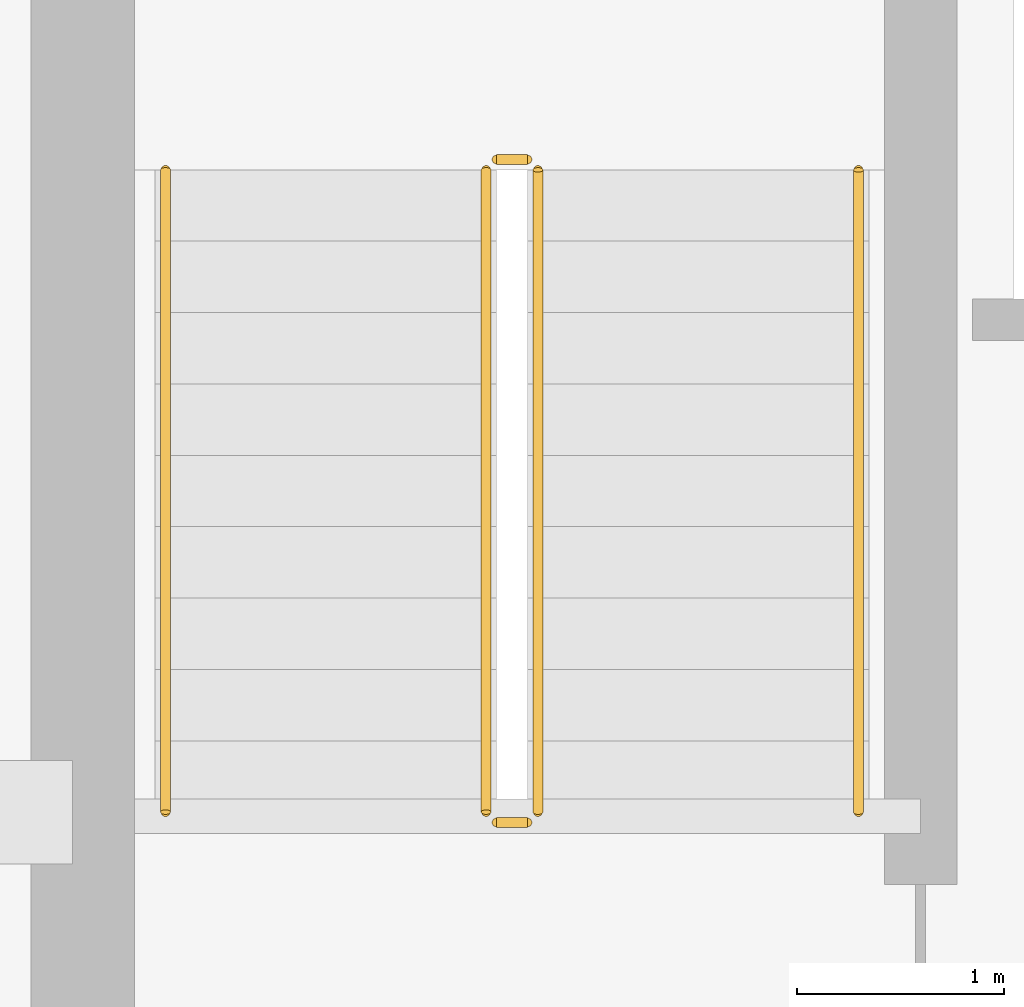
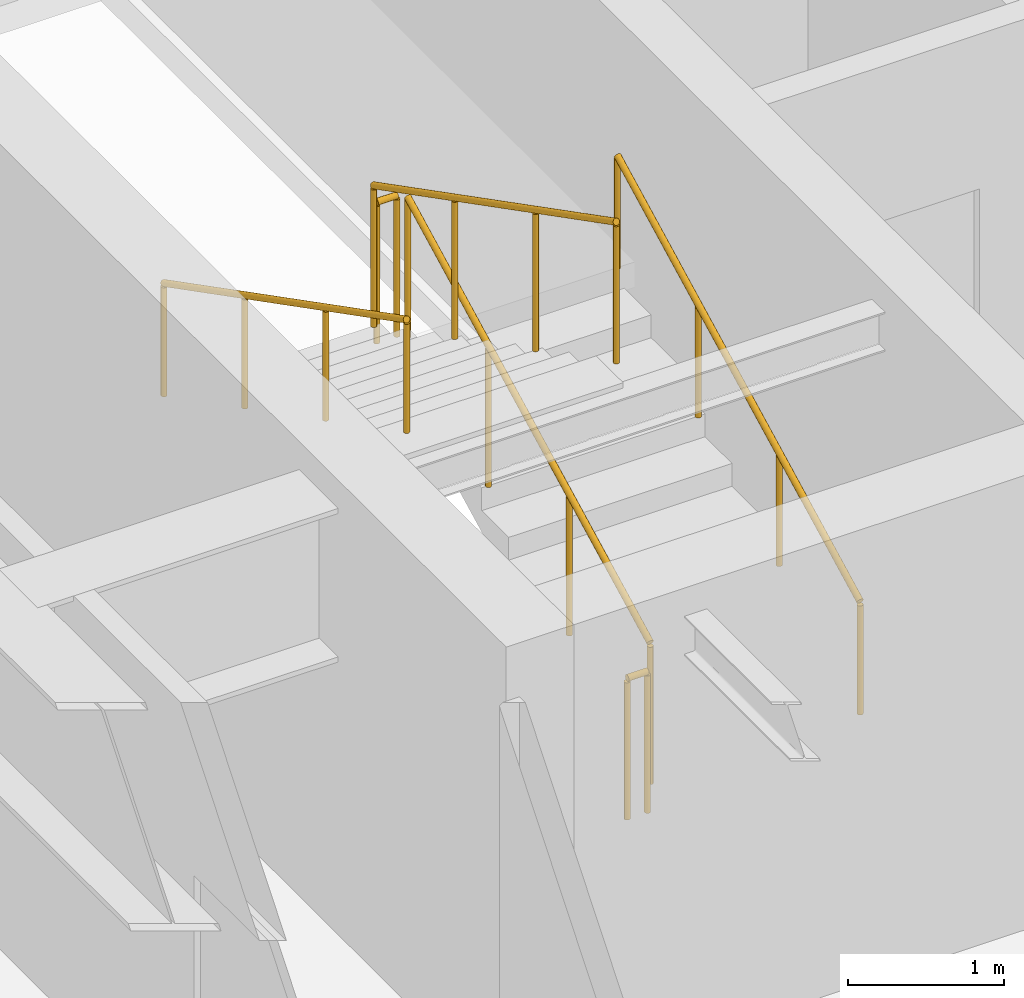
# One storey, part 12 of 15: 6 railings.
"""IFC4 building model written with IfcOpenShell, lengths in metres."""

from ifc_helpers import new_model, si_unit, direction, frame, origin, origin_2d, place, context, subcontext, project, spatial, circle, extrude, material, type_object, element, save


model = new_model("IFC4")

# Units and contexts
model_context = context("Model", 3, precision=1e-05, world=origin(), true_north=direction((0.0, 1.0)))
body_context = subcontext(model_context, "Body", "Model", "MODEL_VIEW")
ifc_project = project(units=[si_unit("LENGTHUNIT", "METRE"), si_unit("AREAUNIT", "SQUARE_METRE"), si_unit("VOLUMEUNIT", "CUBIC_METRE"), si_unit("PLANEANGLEUNIT", "RADIAN"), si_unit("MASSUNIT", "GRAM", prefix="KILO")], contexts=[model_context])

# Site, building, storey
site_placement = place(None, origin())
site = spatial("IfcSite", under=ifc_project, at=site_placement, CompositionType="ELEMENT")
building_placement = place(site_placement, origin())
building = spatial("IfcBuilding", under=site, at=building_placement, Name="Tolvann Quenvar Hotel", CompositionType="ELEMENT")
storey_placement = place(building_placement, frame((0.0, 0.0, 278.60009765625)))
storey = spatial("IfcBuildingStorey", under=building, at=storey_placement, Name="L74", CompositionType="ELEMENT", Elevation=278.60009765625)

# Railings
ifc_material = material(Name="Brushed 316 stainless steel balustrade and handrail", Category="steel")
railing_type_1 = type_object("IfcRailingType", Name="GUARDRAIL", PredefinedType="GUARDRAIL", material=ifc_material)
railing_1_placement = place(storey_placement, frame((12.449951171875, 34.0, 0.177490234375)))
element("IfcRailing", 1, at=railing_1_placement, inside=storey, type_object=railing_type_1, Name="L74 ST-C1 stair guard 1", PredefinedType="GUARDRAIL", context=body_context, shape_type="SweptSolid", body=[
    extrude(circle(Radius=0.02392578125, at=origin_2d()), frame((0.0, 0.0, 1.09619140625), z_axis=(0.0, 0.889221982265, 0.45747597342), x_axis=(-1.0, 0.0, 0.0)), (0.0, 0.0, 1.0), 3.49169921875),
    extrude(circle(Radius=0.02099609375, at=origin_2d()), origin(), (0.0, 0.0, 1.0), 1.072021484375),
    extrude(circle(Radius=0.02099609375, at=origin_2d()), frame((0.0, 1.034912109375, 0.532470703125)), (0.0, 0.0, 1.0), 1.072021484375),
    extrude(circle(Radius=0.02099609375, at=origin_2d()), frame((0.0, 2.070068359375, 1.06494140625)), (0.0, 0.0, 1.0), 1.072021484375),
    extrude(circle(Radius=0.02099609375, at=origin_2d()), frame((0.0, 3.10498046875, 1.597412109375)), (0.0, 0.0, 1.0), 1.072021484375),
])
railing_2_placement = place(storey_placement, frame((12.39990234375, 37.155029296875, 1.77490234375)))
element("IfcRailing", 2, at=railing_2_placement, inside=storey, type_object=railing_type_1, Name="L74 ST-C1 stair guard 2", PredefinedType="GUARDRAIL", context=body_context, shape_type="SweptSolid", body=[
    extrude(circle(Radius=0.02392578125, at=origin_2d()), frame((0.0, 0.0, 1.09619140625), z_axis=(-1.0, 0.0, 0.0), x_axis=(0.0, -1.0, 0.0)), (0.0, 0.0, 1.0), 0.14990234375),
    extrude(circle(Radius=0.02099609375, at=origin_2d()), origin(), (0.0, 0.0, 1.0), 1.072021484375),
    extrude(circle(Radius=0.02099609375, at=origin_2d()), frame((-0.14990234375, 0.0, 0.0)), (0.0, 0.0, 1.0), 1.072021484375),
])
railing_3_placement = place(storey_placement, frame((12.199951171875, 37.10498046875, 1.952392578125)))
element("IfcRailing", 3, at=railing_3_placement, inside=storey, type_object=railing_type_1, Name="L74 ST-C1 stair guard 3", PredefinedType="GUARDRAIL", context=body_context, shape_type="SweptSolid", body=[
    extrude(circle(Radius=0.02392578125, at=origin_2d()), frame((0.0, 0.0, 1.09619140625), z_axis=(0.0, -0.889221982265, 0.45747597342), x_axis=(1.0, 0.0, 0.0)), (0.0, 0.0, 1.0), 3.49169921875),
    extrude(circle(Radius=0.02099609375, at=origin_2d()), origin(), (0.0, 0.0, 1.0), 1.072021484375),
    extrude(circle(Radius=0.02099609375, at=origin_2d()), frame((0.0, -1.034912109375, 0.532470703125)), (0.0, 0.0, 1.0), 1.072021484375),
    extrude(circle(Radius=0.02099609375, at=origin_2d()), frame((0.0, -2.070068359375, 1.06494140625)), (0.0, 0.0, 1.0), 1.072021484375),
    extrude(circle(Radius=0.02099609375, at=origin_2d()), frame((0.0, -3.10498046875, 1.597412109375)), (0.0, 0.0, 1.0), 1.072021484375),
])
railing_4_placement = place(storey_placement, frame((12.39990234375, 33.949951171875, 0.0)))
element("IfcRailing", 4, at=railing_4_placement, inside=storey, type_object=railing_type_1, Name="L74 ST-C1 stair guard 4", PredefinedType="GUARDRAIL", context=body_context, shape_type="SweptSolid", body=[
    extrude(circle(Radius=0.02392578125, at=origin_2d()), frame((0.0, 0.0, 1.09619140625), z_axis=(-1.0, 0.0, 0.0), x_axis=(0.0, -1.0, 0.0)), (0.0, 0.0, 1.0), 0.14990234375),
    extrude(circle(Radius=0.02099609375, at=origin_2d()), origin(), (0.0, 0.0, 1.0), 1.072021484375),
    extrude(circle(Radius=0.02099609375, at=origin_2d()), frame((-0.14990234375, 0.0, 0.0)), (0.0, 0.0, 1.0), 1.072021484375),
])
railing_type_2 = type_object("IfcRailingType", Name="HANDRAIL", PredefinedType="HANDRAIL", material=ifc_material)
railing_5_placement = place(storey_placement, frame((14.0, 34.0, 0.177490234375)))
element("IfcRailing", 5, at=railing_5_placement, inside=storey, type_object=railing_type_2, Name="L74 ST-C1 stair handrail 1", PredefinedType="HANDRAIL", context=body_context, shape_type="SweptSolid", body=[
    extrude(circle(Radius=0.02392578125, at=origin_2d()), frame((0.0, 0.0, 0.8759765625), z_axis=(0.0, 0.889221982265, 0.45747597342), x_axis=(-1.0, 0.0, 0.0)), (0.0, 0.0, 1.0), 3.49169921875),
    extrude(circle(Radius=0.02099609375, at=origin_2d()), origin(), (0.0, 0.0, 1.0), 0.851806640625),
    extrude(circle(Radius=0.02099609375, at=origin_2d()), frame((0.0, 1.034912109375, 0.532470703125)), (0.0, 0.0, 1.0), 0.851806640625),
    extrude(circle(Radius=0.02099609375, at=origin_2d()), frame((0.0, 2.070068359375, 1.06494140625)), (0.0, 0.0, 1.0), 0.851806640625),
    extrude(circle(Radius=0.02099609375, at=origin_2d()), frame((0.0, 3.10498046875, 1.597412109375)), (0.0, 0.0, 1.0), 0.851806640625),
])
railing_6_placement = place(storey_placement, frame((10.64990234375, 37.10498046875, 1.952392578125)))
element("IfcRailing", 6, at=railing_6_placement, inside=storey, type_object=railing_type_2, Name="L74 ST-C1 stair handrail 2", PredefinedType="HANDRAIL", context=body_context, shape_type="SweptSolid", body=[
    extrude(circle(Radius=0.02392578125, at=origin_2d()), frame((0.0, 0.0, 0.8759765625), z_axis=(0.0, -0.889221982265, 0.45747597342), x_axis=(1.0, 0.0, 0.0)), (0.0, 0.0, 1.0), 3.49169921875),
    extrude(circle(Radius=0.02099609375, at=origin_2d()), origin(), (0.0, 0.0, 1.0), 0.851806640625),
    extrude(circle(Radius=0.02099609375, at=origin_2d()), frame((0.0, -1.034912109375, 0.532470703125)), (0.0, 0.0, 1.0), 0.851806640625),
    extrude(circle(Radius=0.02099609375, at=origin_2d()), frame((0.0, -2.070068359375, 1.06494140625)), (0.0, 0.0, 1.0), 0.851806640625),
    extrude(circle(Radius=0.02099609375, at=origin_2d()), frame((0.0, -3.10498046875, 1.597412109375)), (0.0, 0.0, 1.0), 0.851806640625),
])

save(model, "model.ifc")
